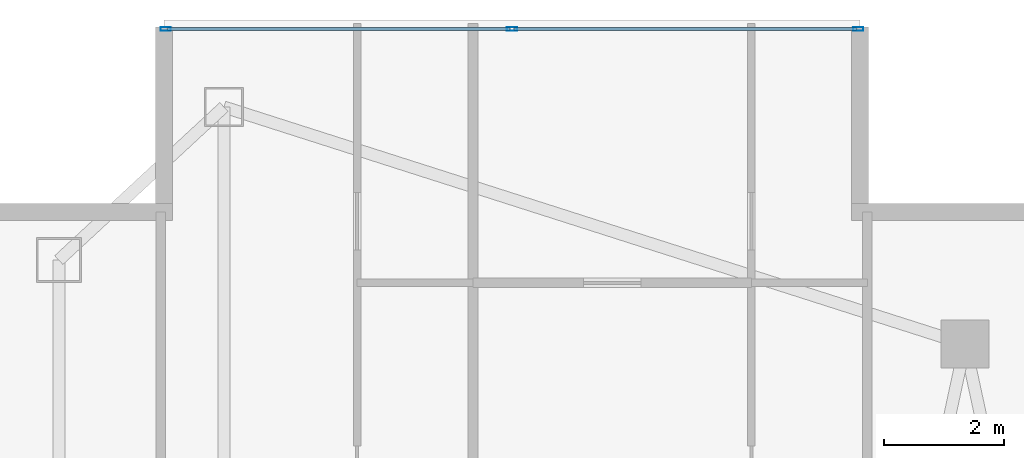
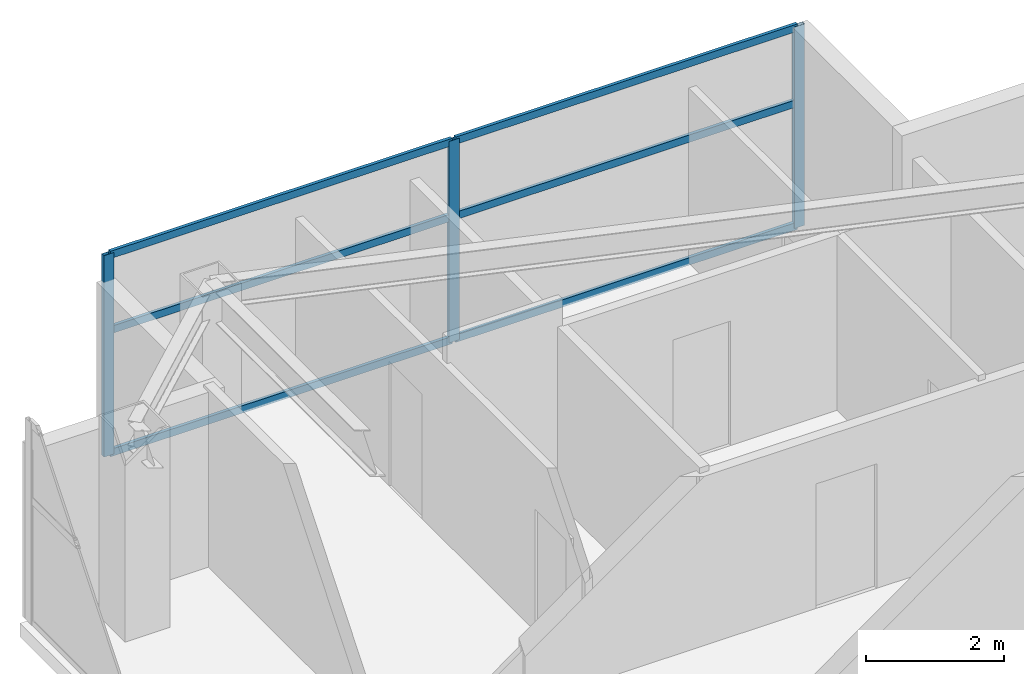
# One storey, part 20 of 27: 9 members, 1 element without a shape of its own.
"""IFC4 building model written with IfcOpenShell, lengths in metres."""

import ifcopenshell
import ifcopenshell.guid

model = None  # the IFC model being written
_history = None  # IfcOwnerHistory: only IFC2X3 demands one
_inside = {}  # id of a spatial element -> (the spatial element, [elements in it])
_under = {}  # id of a project, library or spatial element -> (it, [spatial elements below it])
_declared = {}  # id of a project -> (the project, [libraries it declares])
_typed = {}  # id of a type object -> (the type object, [elements of that type])
_made_of = {}  # id of a material, layer set ... -> (it, [elements and type objects made of it])


def new_model(schema):
    """Start an empty IFC model of exactly this schema.

    Asked for "IFC4X3", IfcOpenShell would pick the latest addendum, in which some entities
    have other attributes; the version numbers below select the first issue.
    IFC2X3 requires an IfcOwnerHistory on every rooted entity: one is made here for all.
    """
    global model, _history
    if schema == "IFC4X3":
        model = ifcopenshell.file(schema_version=(4, 3, 0, 0))
    else:
        model = ifcopenshell.file(schema=schema)
    _inside.clear()
    _under.clear()
    _declared.clear()
    _typed.clear()
    _made_of.clear()
    _history = None
    if model.schema == "IFC2X3":
        org = make("IfcOrganization", Name="unknown")
        user = make(
            "IfcPersonAndOrganization",
            ThePerson=make("IfcPerson", FamilyName="unknown"),
            TheOrganization=org,
        )
        app = make(
            "IfcApplication",
            ApplicationDeveloper=org,
            Version="unknown",
            ApplicationFullName="unknown",
            ApplicationIdentifier="unknown",
        )
        _history = make(
            "IfcOwnerHistory",
            OwningUser=user,
            OwningApplication=app,
            ChangeAction="ADDED",
            CreationDate=0,
        )
    return model


def make(cls, **values):
    """One entity of the class cls with the attributes given. An attribute that is None is left unset."""
    return model.create_entity(
        cls, **{name: value for name, value in values.items() if value is not None}
    )


def rooted(cls, **values):
    """An entity with a GlobalId (a new one), such as an element, a storey or a relation."""
    return make(cls, GlobalId=ifcopenshell.guid.new(), OwnerHistory=_history, **values)


def si_unit(unit_type, name, prefix=None):
    """IfcSIUnit, for example si_unit("LENGTHUNIT", "METRE", prefix="MILLI")."""
    return make("IfcSIUnit", UnitType=unit_type, Prefix=prefix, Name=name)


def assignment(units):
    """IfcUnitAssignment: the units of a project."""
    return None if units is None else make("IfcUnitAssignment", Units=units)


def point(xyz):
    """IfcCartesianPoint."""
    return None if xyz is None else make("IfcCartesianPoint", Coordinates=xyz)


def direction(xyz):
    """IfcDirection."""
    return None if xyz is None else make("IfcDirection", DirectionRatios=xyz)


def frame(location, z_axis=None, x_axis=None):
    """IfcAxis2Placement3D, a coordinate frame: its origin and axes. An axis left out is left unset."""
    return make(
        "IfcAxis2Placement3D",
        Location=point(location),
        Axis=direction(z_axis),
        RefDirection=direction(x_axis),
    )


def frame_2d(location, x_axis=None):
    """IfcAxis2Placement2D, a coordinate frame in the plane: its origin and x axis."""
    return make(
        "IfcAxis2Placement2D", Location=point(location), RefDirection=direction(x_axis)
    )


def origin():
    """The frame at (0, 0, 0) with its axes left unset."""
    return frame((0.0, 0.0, 0.0))


def origin_2d():
    """The frame at (0, 0) in the plane with its x axis left unset."""
    return frame_2d((0.0, 0.0))


def place(relative_to, where):
    """IfcLocalPlacement: puts the frame where relative to a parent placement (None: the world)."""
    return make(
        "IfcLocalPlacement", PlacementRelTo=relative_to, RelativePlacement=where
    )


def context(
    kind, dimensions, precision=None, world=None, true_north=None, identifier=None
):
    """IfcGeometricRepresentationContext, for example the 3D "Model" context."""
    return make(
        "IfcGeometricRepresentationContext",
        ContextIdentifier=identifier,
        ContextType=kind,
        CoordinateSpaceDimension=dimensions,
        Precision=precision,
        WorldCoordinateSystem=world,
        TrueNorth=true_north,
    )


def subcontext(parent, identifier, kind, view, scale=None):
    """IfcGeometricRepresentationSubContext, for example "Body" below "Model"."""
    return make(
        "IfcGeometricRepresentationSubContext",
        ContextIdentifier=identifier,
        ContextType=kind,
        ParentContext=parent,
        TargetScale=scale,
        TargetView=view,
    )


def project(units=None, contexts=None):
    """IfcProject with its units and contexts."""
    return rooted(
        "IfcProject",
        Name="project",
        RepresentationContexts=contexts,
        UnitsInContext=assignment(units),
    )


def spatial(cls, under=None, at=None, **own):
    """A site, building, storey or space (cls), placed at a placement, below another one or the project."""
    s = rooted(cls, ObjectPlacement=at, **own)
    if under is not None:
        _under.setdefault(under.id(), (under, []))[1].append(s)
    return s


def profile(cls, at=None, kind="AREA", **sizes):
    """A parametric profile (cls). Its sizes go by their IFC names, for example OverallWidth=200.0."""
    return make(cls, ProfileType=kind, Position=at, **sizes)


def hollow_rectangle(**sizes):
    """IfcRectangleHollowProfileDef."""
    return profile("IfcRectangleHollowProfileDef", **sizes)


def extrude(swept, where, along, depth):
    """IfcExtrudedAreaSolid: the profile swept, set in the frame where, extruded along a direction by depth."""
    return make(
        "IfcExtrudedAreaSolid",
        SweptArea=swept,
        Position=where,
        ExtrudedDirection=direction(along),
        Depth=depth,
    )


def shape(context_of_items, identifier, shape_type, items):
    """IfcShapeRepresentation: the items that make up one representation, for example the "Body"."""
    return make(
        "IfcShapeRepresentation",
        ContextOfItems=context_of_items,
        RepresentationIdentifier=identifier,
        RepresentationType=shape_type,
        Items=items,
    )


def material(Name=None, Category=None):
    """IfcMaterial."""
    return make("IfcMaterial", Name=Name, Category=Category)


def layer(
    of_material, thickness, ventilated=None, Name=None, Category=None, Priority=None
):
    """IfcMaterialLayer: one layer of a wall or slab, of a material (None: an air gap)."""
    return make(
        "IfcMaterialLayer",
        Material=of_material,
        LayerThickness=thickness,
        IsVentilated=ventilated,
        Name=Name,
        Category=Category,
        Priority=Priority,
    )


def layer_set(layers, Name=None):
    """IfcMaterialLayerSet."""
    return make("IfcMaterialLayerSet", MaterialLayers=layers, LayerSetName=Name)


def material_profile(
    of_material, cross_section, Name=None, Category=None, Priority=None
):
    """IfcMaterialProfile: a cross section and its material."""
    return make(
        "IfcMaterialProfile",
        Name=Name,
        Material=of_material,
        Profile=cross_section,
        Priority=Priority,
        Category=Category,
    )


def profile_set(profiles, Name=None, composite=None):
    """IfcMaterialProfileSet."""
    return make(
        "IfcMaterialProfileSet",
        Name=Name,
        MaterialProfiles=profiles,
        CompositeProfile=composite,
    )


def made_of(thing, what):
    """Note that an element or type object is made of a material, layer set ...; save() writes the relation."""
    if what is not None:
        _made_of.setdefault(what.id(), (what, []))[1].append(thing)
    return thing


def type_object(cls, material=None, **own):
    """A type object (cls), such as IfcWallType, which elements share."""
    return made_of(rooted(cls, **own), material)


def element(
    cls,
    number,
    at=None,
    inside=None,
    cuts=None,
    type_object=None,
    material=None,
    context=None,
    identifier="Body",
    shape_type=None,
    held_by="IfcProductDefinitionShape",
    body=None,
    shapes=None,
    **own,
):
    """One element of the class cls, such as IfcWall. Its Tag is "e" and its number.

    at: its placement. inside: the storey or other place that contains it. cuts: it is an
    opening in that element (IfcRelVoidsElement). A single representation is given by context,
    identifier, shape_type and body (its items); several are given by shapes. held_by: the class
    of the entity that holds the representations. save() writes the other relations.
    """
    e = rooted(cls, Tag="e%d" % number, ObjectPlacement=at, **own)
    if body is not None:
        shapes = [shape(context, identifier, shape_type, body)]
    if shapes is not None:
        e.Representation = make(held_by, Representations=shapes)
    if inside is not None:
        _inside.setdefault(inside.id(), (inside, []))[1].append(e)
    if cuts is not None:
        rooted(
            "IfcRelVoidsElement", RelatingBuildingElement=cuts, RelatedOpeningElement=e
        )
    if type_object is not None:
        _typed.setdefault(type_object.id(), (type_object, []))[1].append(e)
    return made_of(e, material)


def aggregate(whole, parts):
    """IfcRelAggregates: a whole, such as a stair, and the parts it consists of."""
    return rooted("IfcRelAggregates", RelatingObject=whole, RelatedObjects=parts)


def save(model, path):
    """Write the relations noted so far, then the file.

    IfcRelAggregates (storeys below a building ...), IfcRelContainedInSpatialStructure (elements
    in a storey), IfcRelDefinesByType, IfcRelAssociatesMaterial and IfcRelDeclares: one each for
    every whole, place, type object, material and project.
    """
    for whole, parts in _under.values():
        aggregate(whole, parts)
    for where, things in _inside.values():
        rooted(
            "IfcRelContainedInSpatialStructure",
            RelatedElements=things,
            RelatingStructure=where,
        )
    for kind, things in _typed.values():
        rooted("IfcRelDefinesByType", RelatedObjects=things, RelatingType=kind)
    for what, things in _made_of.values():
        rooted("IfcRelAssociatesMaterial", RelatedObjects=things, RelatingMaterial=what)
    for by, libraries in _declared.values():
        rooted("IfcRelDeclares", RelatingContext=by, RelatedDefinitions=libraries)
    model.write(path)


model = new_model("IFC4")

# Units and contexts
model_context = context("Model", 3, precision=1e-05, world=origin(), true_north=direction((0.0, 1.0)))
body_context = subcontext(model_context, "Body", "Model", "MODEL_VIEW")
ifc_project = project(units=[si_unit("LENGTHUNIT", "METRE"), si_unit("AREAUNIT", "SQUARE_METRE"), si_unit("VOLUMEUNIT", "CUBIC_METRE"), si_unit("PLANEANGLEUNIT", "RADIAN"), si_unit("MASSUNIT", "GRAM", prefix="KILO")], contexts=[model_context])

# Site, building, storey
site_placement = place(None, origin())
site = spatial("IfcSite", under=ifc_project, at=site_placement, CompositionType="ELEMENT")
building_placement = place(site_placement, origin())
building = spatial("IfcBuilding", under=site, at=building_placement, Name="Calvorn Quay Hotel", CompositionType="ELEMENT")
storey_placement = place(building_placement, frame((0.0, 0.0, 298.699951171875)))
storey = spatial("IfcBuildingStorey", under=building, at=storey_placement, Name="L74", CompositionType="ELEMENT", Elevation=298.699951171875)

# Curtain wall, members
ifc_material_1 = material(Name="Champagne Bronze Anodised Aluminium and Low-E Glass", Category="aluminium")
ifc_layer = layer(ifc_material_1, 0.219970703125)
ifc_layer_set = layer_set([ifc_layer], Name="CW-SYS-Z4")
curtain_wall_type = type_object("IfcCurtainWallType", Name="CW-SYS-Z4", PredefinedType="NOTDEFINED", material=ifc_layer_set)
curtain_wall_placement = place(storey_placement, origin())
curtain_wall = element("IfcCurtainWall", 1, at=curtain_wall_placement, inside=storey, type_object=curtain_wall_type, Name="Inner Court Curtain Wall L74-N1", PredefinedType="NOTDEFINED")
ifc_material_2 = material(Name="Champagne Bronze Anodised Aluminium 6063-T6", Category="aluminium")
ifc_material_profile_1 = material_profile(ifc_material_2, hollow_rectangle(XDim=0.06494140625, YDim=0.169921875, WallThickness=0.00341796875, at=origin_2d()), Name="ALU-M170x65x3.5")
ifc_profile_set_1 = profile_set([ifc_material_profile_1], Name="Champagne Bronze Anodised Aluminium 6063-T6")
member_type_1 = type_object("IfcMemberType", Name="CW-SYS-Z4-MUL", PredefinedType="MULLION", material=ifc_profile_set_1)
member_1_placement = place(storey_placement, frame((14.77001953125, 50.85009765625, 0.0), z_axis=(0.0, 0.0, 1.0), x_axis=(0.0, -1.0, 0.0)))
member_1 = element("IfcMember", 2, at=member_1_placement, type_object=member_type_1, Name="CW-L74-N1 mullion 1", PredefinedType="MULLION", context=body_context, shape_type="SweptSolid", body=[
    extrude(hollow_rectangle(XDim=0.06494140625, YDim=0.169921875, WallThickness=0.00341796875, at=origin_2d()), origin(), (0.0, 0.0, 1.0), 3.56005859375),
])
member_2_placement = place(storey_placement, frame((9.0, 50.85009765625, 0.0), z_axis=(0.0, 0.0, 1.0), x_axis=(0.0, -1.0, 0.0)))
member_2 = element("IfcMember", 3, at=member_2_placement, type_object=member_type_1, Name="CW-L74-N1 mullion 2", PredefinedType="MULLION", context=body_context, shape_type="SweptSolid", body=[
    extrude(hollow_rectangle(XDim=0.06494140625, YDim=0.169921875, WallThickness=0.00341796875, at=origin_2d()), origin(), (0.0, 0.0, 1.0), 3.56005859375),
])
member_3_placement = place(storey_placement, frame((3.22998046875, 50.85009765625, 0.0), z_axis=(0.0, 0.0, 1.0), x_axis=(0.0, -1.0, 0.0)))
member_3 = element("IfcMember", 4, at=member_3_placement, type_object=member_type_1, Name="CW-L74-N1 mullion 3", PredefinedType="MULLION", context=body_context, shape_type="SweptSolid", body=[
    extrude(hollow_rectangle(XDim=0.06494140625, YDim=0.169921875, WallThickness=0.00341796875, at=origin_2d()), origin(), (0.0, 0.0, 1.0), 3.56005859375),
])
ifc_material_3 = material(Name="Champagne Bronze Anodised Aluminium 6063-T6", Category="aluminium")
ifc_material_profile_2 = material_profile(ifc_material_3, hollow_rectangle(XDim=0.054931640625, YDim=0.1298828125, WallThickness=0.003173828125, at=origin_2d()), Name="ALU-T130x55x3.2")
ifc_profile_set_2 = profile_set([ifc_material_profile_2], Name="Champagne Bronze Anodised Aluminium 6063-T6")
member_type_2 = type_object("IfcMemberType", Name="CW-SYS-Z4-TRN", PredefinedType="USERDEFINED", material=ifc_profile_set_2)
member_4_placement = place(storey_placement, frame((14.739990234375, 50.85009765625, 0.030029296875), z_axis=(-1.0, 0.0, 0.0), x_axis=(0.0, -1.0, 0.0)))
member_4 = element("IfcMember", 5, at=member_4_placement, type_object=member_type_2, Name="CW-L74-N1 transom 1.1", ObjectType="TRANSOM", PredefinedType="USERDEFINED", context=body_context, shape_type="SweptSolid", body=[
    extrude(hollow_rectangle(XDim=0.054931640625, YDim=0.1298828125, WallThickness=0.003173828125, at=origin_2d()), origin(), (0.0, 0.0, 1.0), 5.7099609375),
])
member_5_placement = place(storey_placement, frame((14.739990234375, 50.85009765625, 2.199951171875), z_axis=(-1.0, 0.0, 0.0), x_axis=(0.0, -1.0, 0.0)))
member_5 = element("IfcMember", 6, at=member_5_placement, type_object=member_type_2, Name="CW-L74-N1 transom 1.2", ObjectType="TRANSOM", PredefinedType="USERDEFINED", context=body_context, shape_type="SweptSolid", body=[
    extrude(hollow_rectangle(XDim=0.054931640625, YDim=0.1298828125, WallThickness=0.003173828125, at=origin_2d()), origin(), (0.0, 0.0, 1.0), 5.7099609375),
])
member_6_placement = place(storey_placement, frame((14.739990234375, 50.85009765625, 3.530029296875), z_axis=(-1.0, 0.0, 0.0), x_axis=(0.0, -1.0, 0.0)))
member_6 = element("IfcMember", 7, at=member_6_placement, type_object=member_type_2, Name="CW-L74-N1 transom 1.3", ObjectType="TRANSOM", PredefinedType="USERDEFINED", context=body_context, shape_type="SweptSolid", body=[
    extrude(hollow_rectangle(XDim=0.054931640625, YDim=0.1298828125, WallThickness=0.003173828125, at=origin_2d()), origin(), (0.0, 0.0, 1.0), 5.7099609375),
])
member_7_placement = place(storey_placement, frame((8.969970703125, 50.85009765625, 0.030029296875), z_axis=(-1.0, 0.0, 0.0), x_axis=(0.0, -1.0, 0.0)))
member_7 = element("IfcMember", 8, at=member_7_placement, type_object=member_type_2, Name="CW-L74-N1 transom 2.1", ObjectType="TRANSOM", PredefinedType="USERDEFINED", context=body_context, shape_type="SweptSolid", body=[
    extrude(hollow_rectangle(XDim=0.054931640625, YDim=0.1298828125, WallThickness=0.003173828125, at=origin_2d()), origin(), (0.0, 0.0, 1.0), 5.7099609375),
])
member_8_placement = place(storey_placement, frame((8.969970703125, 50.85009765625, 2.199951171875), z_axis=(-1.0, 0.0, 0.0), x_axis=(0.0, -1.0, 0.0)))
member_8 = element("IfcMember", 9, at=member_8_placement, type_object=member_type_2, Name="CW-L74-N1 transom 2.2", ObjectType="TRANSOM", PredefinedType="USERDEFINED", context=body_context, shape_type="SweptSolid", body=[
    extrude(hollow_rectangle(XDim=0.054931640625, YDim=0.1298828125, WallThickness=0.003173828125, at=origin_2d()), origin(), (0.0, 0.0, 1.0), 5.7099609375),
])
member_9_placement = place(storey_placement, frame((8.969970703125, 50.85009765625, 3.530029296875), z_axis=(-1.0, 0.0, 0.0), x_axis=(0.0, -1.0, 0.0)))
member_9 = element("IfcMember", 10, at=member_9_placement, type_object=member_type_2, Name="CW-L74-N1 transom 2.3", ObjectType="TRANSOM", PredefinedType="USERDEFINED", context=body_context, shape_type="SweptSolid", body=[
    extrude(hollow_rectangle(XDim=0.054931640625, YDim=0.1298828125, WallThickness=0.003173828125, at=origin_2d()), origin(), (0.0, 0.0, 1.0), 5.7099609375),
])
aggregate(curtain_wall, [member_1, member_2, member_3, member_4, member_5, member_6, member_7, member_8, member_9])

save(model, "model.ifc")
